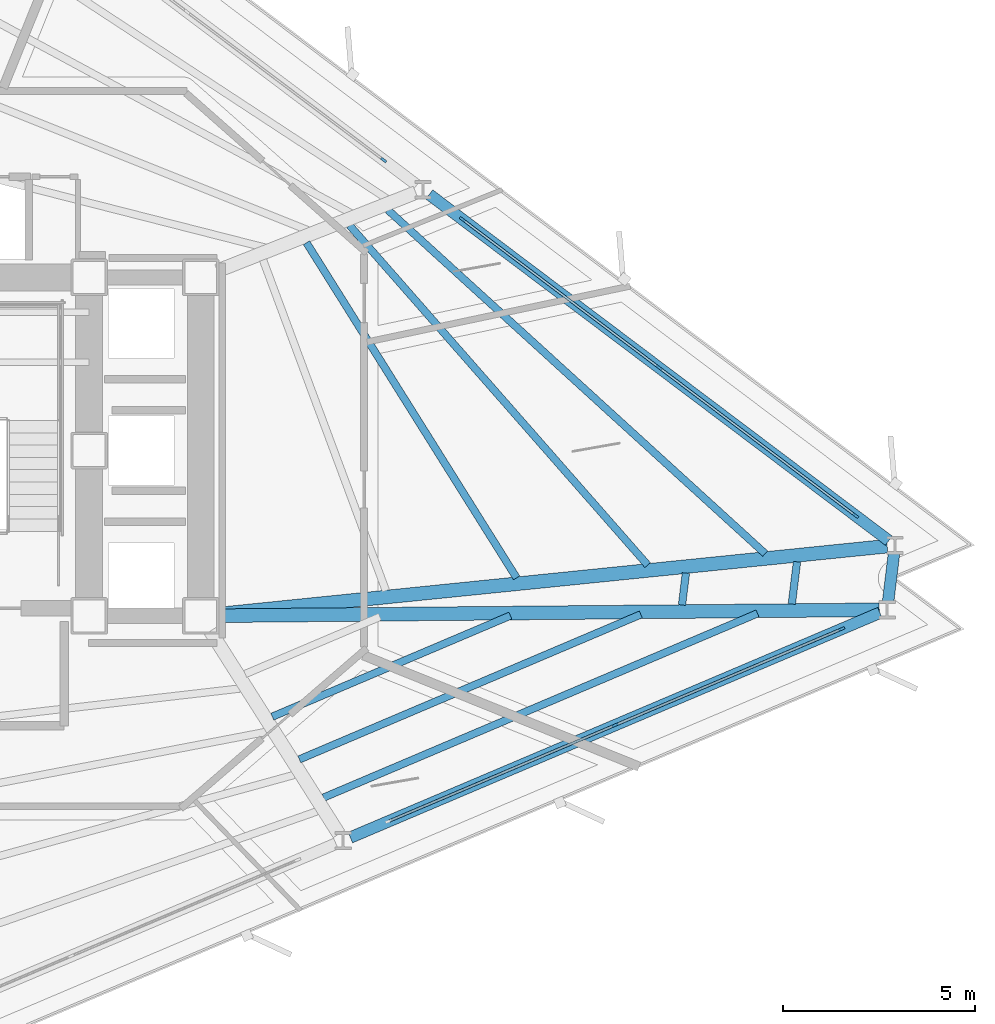
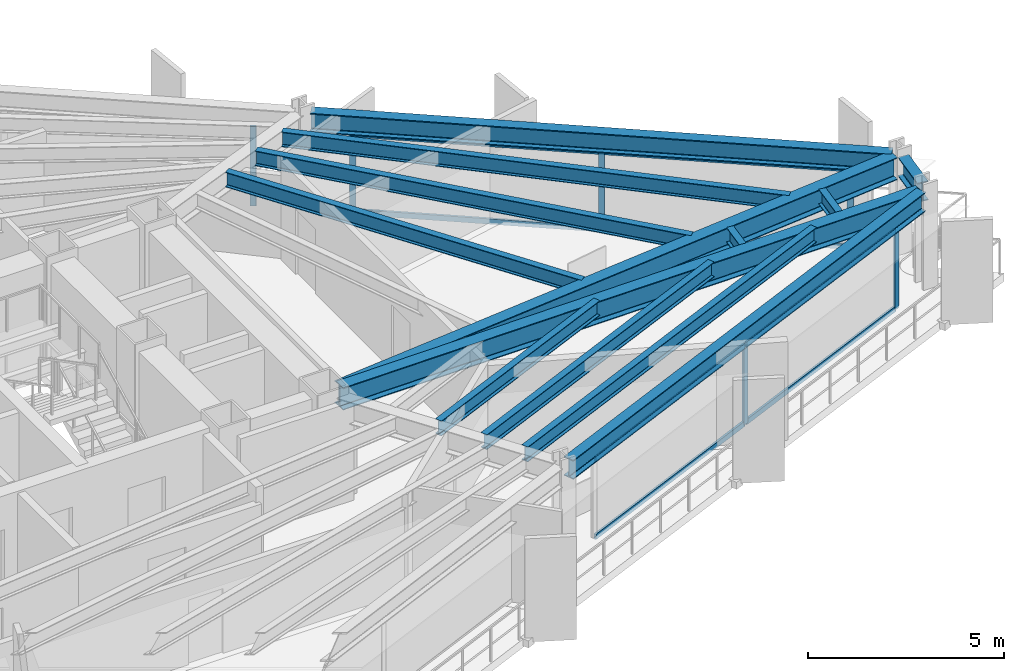
# One storey, part 4 of 13: 14 members, 13 beams, 3 elements without a shape of their own.
"""IFC4 building model written with IfcOpenShell, lengths in metres."""

import ifcopenshell
import ifcopenshell.guid

model = None  # the IFC model being written
_history = None  # IfcOwnerHistory: only IFC2X3 demands one
_inside = {}  # id of a spatial element -> (the spatial element, [elements in it])
_under = {}  # id of a project, library or spatial element -> (it, [spatial elements below it])
_declared = {}  # id of a project -> (the project, [libraries it declares])
_typed = {}  # id of a type object -> (the type object, [elements of that type])
_made_of = {}  # id of a material, layer set ... -> (it, [elements and type objects made of it])


def new_model(schema):
    """Start an empty IFC model of exactly this schema.

    Asked for "IFC4X3", IfcOpenShell would pick the latest addendum, in which some entities
    have other attributes; the version numbers below select the first issue.
    IFC2X3 requires an IfcOwnerHistory on every rooted entity: one is made here for all.
    """
    global model, _history
    if schema == "IFC4X3":
        model = ifcopenshell.file(schema_version=(4, 3, 0, 0))
    else:
        model = ifcopenshell.file(schema=schema)
    _inside.clear()
    _under.clear()
    _declared.clear()
    _typed.clear()
    _made_of.clear()
    _history = None
    if model.schema == "IFC2X3":
        org = make("IfcOrganization", Name="unknown")
        user = make(
            "IfcPersonAndOrganization",
            ThePerson=make("IfcPerson", FamilyName="unknown"),
            TheOrganization=org,
        )
        app = make(
            "IfcApplication",
            ApplicationDeveloper=org,
            Version="unknown",
            ApplicationFullName="unknown",
            ApplicationIdentifier="unknown",
        )
        _history = make(
            "IfcOwnerHistory",
            OwningUser=user,
            OwningApplication=app,
            ChangeAction="ADDED",
            CreationDate=0,
        )
    return model


def make(cls, **values):
    """One entity of the class cls with the attributes given. An attribute that is None is left unset."""
    return model.create_entity(
        cls, **{name: value for name, value in values.items() if value is not None}
    )


def rooted(cls, **values):
    """An entity with a GlobalId (a new one), such as an element, a storey or a relation."""
    return make(cls, GlobalId=ifcopenshell.guid.new(), OwnerHistory=_history, **values)


def si_unit(unit_type, name, prefix=None):
    """IfcSIUnit, for example si_unit("LENGTHUNIT", "METRE", prefix="MILLI")."""
    return make("IfcSIUnit", UnitType=unit_type, Prefix=prefix, Name=name)


def assignment(units):
    """IfcUnitAssignment: the units of a project."""
    return None if units is None else make("IfcUnitAssignment", Units=units)


def point(xyz):
    """IfcCartesianPoint."""
    return None if xyz is None else make("IfcCartesianPoint", Coordinates=xyz)


def direction(xyz):
    """IfcDirection."""
    return None if xyz is None else make("IfcDirection", DirectionRatios=xyz)


def frame(location, z_axis=None, x_axis=None):
    """IfcAxis2Placement3D, a coordinate frame: its origin and axes. An axis left out is left unset."""
    return make(
        "IfcAxis2Placement3D",
        Location=point(location),
        Axis=direction(z_axis),
        RefDirection=direction(x_axis),
    )


def frame_2d(location, x_axis=None):
    """IfcAxis2Placement2D, a coordinate frame in the plane: its origin and x axis."""
    return make(
        "IfcAxis2Placement2D", Location=point(location), RefDirection=direction(x_axis)
    )


def origin():
    """The frame at (0, 0, 0) with its axes left unset."""
    return frame((0.0, 0.0, 0.0))


def origin_2d():
    """The frame at (0, 0) in the plane with its x axis left unset."""
    return frame_2d((0.0, 0.0))


def place(relative_to, where):
    """IfcLocalPlacement: puts the frame where relative to a parent placement (None: the world)."""
    return make(
        "IfcLocalPlacement", PlacementRelTo=relative_to, RelativePlacement=where
    )


def context(
    kind, dimensions, precision=None, world=None, true_north=None, identifier=None
):
    """IfcGeometricRepresentationContext, for example the 3D "Model" context."""
    return make(
        "IfcGeometricRepresentationContext",
        ContextIdentifier=identifier,
        ContextType=kind,
        CoordinateSpaceDimension=dimensions,
        Precision=precision,
        WorldCoordinateSystem=world,
        TrueNorth=true_north,
    )


def subcontext(parent, identifier, kind, view, scale=None):
    """IfcGeometricRepresentationSubContext, for example "Body" below "Model"."""
    return make(
        "IfcGeometricRepresentationSubContext",
        ContextIdentifier=identifier,
        ContextType=kind,
        ParentContext=parent,
        TargetScale=scale,
        TargetView=view,
    )


def project(units=None, contexts=None):
    """IfcProject with its units and contexts."""
    return rooted(
        "IfcProject",
        Name="project",
        RepresentationContexts=contexts,
        UnitsInContext=assignment(units),
    )


def spatial(cls, under=None, at=None, **own):
    """A site, building, storey or space (cls), placed at a placement, below another one or the project."""
    s = rooted(cls, ObjectPlacement=at, **own)
    if under is not None:
        _under.setdefault(under.id(), (under, []))[1].append(s)
    return s


def profile(cls, at=None, kind="AREA", **sizes):
    """A parametric profile (cls). Its sizes go by their IFC names, for example OverallWidth=200.0."""
    return make(cls, ProfileType=kind, Position=at, **sizes)


def rectangle(**sizes):
    """IfcRectangleProfileDef."""
    return profile("IfcRectangleProfileDef", **sizes)


def i_section(**sizes):
    """IfcIShapeProfileDef."""
    return profile("IfcIShapeProfileDef", **sizes)


def extrude(swept, where, along, depth):
    """IfcExtrudedAreaSolid: the profile swept, set in the frame where, extruded along a direction by depth."""
    return make(
        "IfcExtrudedAreaSolid",
        SweptArea=swept,
        Position=where,
        ExtrudedDirection=direction(along),
        Depth=depth,
    )


def shape(context_of_items, identifier, shape_type, items):
    """IfcShapeRepresentation: the items that make up one representation, for example the "Body"."""
    return make(
        "IfcShapeRepresentation",
        ContextOfItems=context_of_items,
        RepresentationIdentifier=identifier,
        RepresentationType=shape_type,
        Items=items,
    )


def material(Name=None, Category=None):
    """IfcMaterial."""
    return make("IfcMaterial", Name=Name, Category=Category)


def layer(
    of_material, thickness, ventilated=None, Name=None, Category=None, Priority=None
):
    """IfcMaterialLayer: one layer of a wall or slab, of a material (None: an air gap)."""
    return make(
        "IfcMaterialLayer",
        Material=of_material,
        LayerThickness=thickness,
        IsVentilated=ventilated,
        Name=Name,
        Category=Category,
        Priority=Priority,
    )


def layer_set(layers, Name=None):
    """IfcMaterialLayerSet."""
    return make("IfcMaterialLayerSet", MaterialLayers=layers, LayerSetName=Name)


def material_profile(
    of_material, cross_section, Name=None, Category=None, Priority=None
):
    """IfcMaterialProfile: a cross section and its material."""
    return make(
        "IfcMaterialProfile",
        Name=Name,
        Material=of_material,
        Profile=cross_section,
        Priority=Priority,
        Category=Category,
    )


def profile_set(profiles, Name=None, composite=None):
    """IfcMaterialProfileSet."""
    return make(
        "IfcMaterialProfileSet",
        Name=Name,
        MaterialProfiles=profiles,
        CompositeProfile=composite,
    )


def made_of(thing, what):
    """Note that an element or type object is made of a material, layer set ...; save() writes the relation."""
    if what is not None:
        _made_of.setdefault(what.id(), (what, []))[1].append(thing)
    return thing


def type_object(cls, material=None, **own):
    """A type object (cls), such as IfcWallType, which elements share."""
    return made_of(rooted(cls, **own), material)


def element(
    cls,
    number,
    at=None,
    inside=None,
    cuts=None,
    type_object=None,
    material=None,
    context=None,
    identifier="Body",
    shape_type=None,
    held_by="IfcProductDefinitionShape",
    body=None,
    shapes=None,
    **own,
):
    """One element of the class cls, such as IfcWall. Its Tag is "e" and its number.

    at: its placement. inside: the storey or other place that contains it. cuts: it is an
    opening in that element (IfcRelVoidsElement). A single representation is given by context,
    identifier, shape_type and body (its items); several are given by shapes. held_by: the class
    of the entity that holds the representations. save() writes the other relations.
    """
    e = rooted(cls, Tag="e%d" % number, ObjectPlacement=at, **own)
    if body is not None:
        shapes = [shape(context, identifier, shape_type, body)]
    if shapes is not None:
        e.Representation = make(held_by, Representations=shapes)
    if inside is not None:
        _inside.setdefault(inside.id(), (inside, []))[1].append(e)
    if cuts is not None:
        rooted(
            "IfcRelVoidsElement", RelatingBuildingElement=cuts, RelatedOpeningElement=e
        )
    if type_object is not None:
        _typed.setdefault(type_object.id(), (type_object, []))[1].append(e)
    return made_of(e, material)


def aggregate(whole, parts):
    """IfcRelAggregates: a whole, such as a stair, and the parts it consists of."""
    return rooted("IfcRelAggregates", RelatingObject=whole, RelatedObjects=parts)


def save(model, path):
    """Write the relations noted so far, then the file.

    IfcRelAggregates (storeys below a building ...), IfcRelContainedInSpatialStructure (elements
    in a storey), IfcRelDefinesByType, IfcRelAssociatesMaterial and IfcRelDeclares: one each for
    every whole, place, type object, material and project.
    """
    for whole, parts in _under.values():
        aggregate(whole, parts)
    for where, things in _inside.values():
        rooted(
            "IfcRelContainedInSpatialStructure",
            RelatedElements=things,
            RelatingStructure=where,
        )
    for kind, things in _typed.values():
        rooted("IfcRelDefinesByType", RelatedObjects=things, RelatingType=kind)
    for what, things in _made_of.values():
        rooted("IfcRelAssociatesMaterial", RelatedObjects=things, RelatingMaterial=what)
    for by, libraries in _declared.values():
        rooted("IfcRelDeclares", RelatingContext=by, RelatedDefinitions=libraries)
    model.write(path)


model = new_model("IFC4")

# Units and contexts
model_context = context("Model", 3, precision=1e-05, world=origin(), true_north=direction((0.0, 1.0)))
body_context = subcontext(model_context, "Body", "Model", "MODEL_VIEW")
ifc_project = project(units=[si_unit("LENGTHUNIT", "METRE"), si_unit("AREAUNIT", "SQUARE_METRE"), si_unit("VOLUMEUNIT", "CUBIC_METRE"), si_unit("PLANEANGLEUNIT", "RADIAN"), si_unit("MASSUNIT", "GRAM", prefix="KILO")], contexts=[model_context])

# Site, building, storey
site_placement = place(None, origin())
site = spatial("IfcSite", under=ifc_project, at=site_placement, CompositionType="ELEMENT")
building_placement = place(site_placement, origin())
building = spatial("IfcBuilding", under=site, at=building_placement, Name="Rocaltana Carrier Exchange", CompositionType="ELEMENT")
storey_placement = place(building_placement, frame((0.0, 0.0, 52.9599609375)))
storey = spatial("IfcBuildingStorey", under=building, at=storey_placement, Name="L16", CompositionType="ELEMENT", Elevation=52.9599609375)

# Curtain wall, members
ifc_material_1 = material(Name="Aluminium 6063-T6", Category="aluminium")
ifc_layer = layer(ifc_material_1, 0.1650390625)
ifc_layer_set = layer_set([ifc_layer], Name="Aluminium 6063-T6")
curtain_wall_type = type_object("IfcCurtainWallType", Name="Lower-Mid Stepped Curtain Wall CW-02", PredefinedType="NOTDEFINED", material=ifc_layer_set)
curtain_wall_1_placement = place(storey_placement, origin())
curtain_wall_1 = element("IfcCurtainWall", 1, at=curtain_wall_1_placement, inside=storey, type_object=curtain_wall_type, Name="L16 CW-02 Run CW-L16-F1S1", PredefinedType="NOTDEFINED")
ifc_material_2 = material(Name="Aluminium 6063-T6", Category="aluminium")
ifc_material_profile_1 = material_profile(ifc_material_2, rectangle(XDim=0.06494140625, YDim=0.1650390625, at=origin_2d()), Name="AL-65X165")
ifc_profile_set_1 = profile_set([ifc_material_profile_1], Name="Aluminium 6063-T6")
member_type_1 = type_object("IfcMemberType", Name="CW-02 Mullion AL-65X165", PredefinedType="MULLION", material=ifc_profile_set_1)
member_1_placement = place(storey_placement, frame((25.978759765625, -1.69482421875, 0.0), z_axis=(0.0, 0.0, 1.0), x_axis=(-0.601806560833, -0.798641886792, 0.0)))
member_1 = element("IfcMember", 2, at=member_1_placement, type_object=member_type_1, Name="CW-02 mullion 1", PredefinedType="MULLION", context=body_context, shape_type="SweptSolid", body=[
    extrude(rectangle(XDim=0.06494140625, YDim=0.1650390625, at=origin_2d()), origin(), (0.0, 0.0, 1.0), 2.47802734375),
])
member_2_placement = place(storey_placement, frame((20.86669921875, 2.1572265625, 0.0), z_axis=(0.0, 0.0, 1.0), x_axis=(-0.601806560833, -0.798641886792, 0.0)))
member_2 = element("IfcMember", 3, at=member_2_placement, type_object=member_type_1, Name="CW-02 mullion 2", PredefinedType="MULLION", context=body_context, shape_type="SweptSolid", body=[
    extrude(rectangle(XDim=0.06494140625, YDim=0.1650390625, at=origin_2d()), origin(), (0.0, 0.0, 1.0), 2.47802734375),
])
member_3_placement = place(storey_placement, frame((15.754638671875, 6.00927734375, 0.0), z_axis=(0.0, 0.0, 1.0), x_axis=(-0.601806560833, -0.798641886792, 0.0)))
member_3 = element("IfcMember", 4, at=member_3_placement, type_object=member_type_1, Name="CW-02 mullion 3", PredefinedType="MULLION", context=body_context, shape_type="SweptSolid", body=[
    extrude(rectangle(XDim=0.06494140625, YDim=0.1650390625, at=origin_2d()), origin(), (0.0, 0.0, 1.0), 2.47802734375),
])

# Curtain wall, member
curtain_wall_2_placement = place(storey_placement, origin())
curtain_wall_2 = element("IfcCurtainWall", 5, at=curtain_wall_2_placement, inside=storey, type_object=curtain_wall_type, Name="L16 CW-02 Run CW-L16-F1S2", PredefinedType="NOTDEFINED")
member_4_placement = place(storey_placement, frame((13.706298828125, 7.552978515625, 0.0), z_axis=(0.0, 0.0, 1.0), x_axis=(-0.601815253533, -0.798635336443, 0.0)))
member_4 = element("IfcMember", 6, at=member_4_placement, type_object=member_type_1, Name="CW-02 mullion 1", PredefinedType="MULLION", context=body_context, shape_type="SweptSolid", body=[
    extrude(rectangle(XDim=0.06494140625, YDim=0.1650390625, at=origin_2d()), origin(), (0.0, 0.0, 1.0), 2.47802734375),
])
aggregate(curtain_wall_2, [member_4])

# Curtain wall, members
curtain_wall_3_placement = place(storey_placement, origin())
curtain_wall_3 = element("IfcCurtainWall", 7, at=curtain_wall_3_placement, inside=storey, type_object=curtain_wall_type, Name="L16 CW-02 Run CW-L16-F3S3", PredefinedType="NOTDEFINED")
member_5_placement = place(storey_placement, frame((19.72509765625, -7.141357421875, 0.0), z_axis=(0.0, 0.0, 1.0), x_axis=(-0.390735259141, 0.920503100084, 0.0)))
member_5 = element("IfcMember", 8, at=member_5_placement, type_object=member_type_1, Name="CW-02 mullion 2", PredefinedType="MULLION", context=body_context, shape_type="SweptSolid", body=[
    extrude(rectangle(XDim=0.06494140625, YDim=0.1650390625, at=origin_2d()), origin(), (0.0, 0.0, 1.0), 2.47802734375),
])
member_6_placement = place(storey_placement, frame((25.6171875, -4.64013671875, 0.0), z_axis=(0.0, 0.0, 1.0), x_axis=(-0.390735259141, 0.920503100084, 0.0)))
member_6 = element("IfcMember", 9, at=member_6_placement, type_object=member_type_1, Name="CW-02 mullion 3", PredefinedType="MULLION", context=body_context, shape_type="SweptSolid", body=[
    extrude(rectangle(XDim=0.06494140625, YDim=0.1650390625, at=origin_2d()), origin(), (0.0, 0.0, 1.0), 2.47802734375),
])

# Member
ifc_material_3 = material(Name="Aluminium 6063-T6", Category="aluminium")
ifc_material_profile_2 = material_profile(ifc_material_3, rectangle(XDim=0.06494140625, YDim=0.1650390625, at=origin_2d()), Name="AL-65X165")
ifc_profile_set_2 = profile_set([ifc_material_profile_2], Name="Aluminium 6063-T6")
member_type_2 = type_object("IfcMemberType", Name="CW-02 Transom AL-65X165", PredefinedType="USERDEFINED", material=ifc_profile_set_2)
member_7_placement = place(storey_placement, frame((25.95263671875, -1.67529296875, 0.032470703125), z_axis=(-0.798638496284, 0.601811060261, 0.0), x_axis=(-0.601811060261, -0.798638496284, 0.0)))
member_7 = element("IfcMember", 10, at=member_7_placement, type_object=member_type_2, Name="CW-02 transom 1.1", ObjectType="TRANSOM", PredefinedType="USERDEFINED", context=body_context, shape_type="SweptSolid", body=[
    extrude(rectangle(XDim=0.06494140625, YDim=0.1650390625, at=origin_2d()), origin(), (0.0, 0.0, 1.0), 6.3359375),
])

member_8_placement = place(storey_placement, frame((25.95263671875, -1.67529296875, 2.445556640625), z_axis=(-0.798638496284, 0.601811060261, 0.0), x_axis=(-0.601811060261, -0.798638496284, 0.0)))
member_8 = element("IfcMember", 11, at=member_8_placement, type_object=member_type_2, Name="CW-02 transom 1.2", ObjectType="TRANSOM", PredefinedType="USERDEFINED", context=body_context, shape_type="SweptSolid", body=[
    extrude(rectangle(XDim=0.06494140625, YDim=0.1650390625, at=origin_2d()), origin(), (0.0, 0.0, 1.0), 6.3359375),
])

member_9_placement = place(storey_placement, frame((20.8408203125, 2.1767578125, 0.032470703125), z_axis=(-0.798638496284, 0.601811060261, 0.0), x_axis=(-0.601811060261, -0.798638496284, 0.0)))
member_9 = element("IfcMember", 12, at=member_9_placement, type_object=member_type_2, Name="CW-02 transom 2.1", ObjectType="TRANSOM", PredefinedType="USERDEFINED", context=body_context, shape_type="SweptSolid", body=[
    extrude(rectangle(XDim=0.06494140625, YDim=0.1650390625, at=origin_2d()), origin(), (0.0, 0.0, 1.0), 6.3359375),
])

member_10_placement = place(storey_placement, frame((20.8408203125, 2.1767578125, 2.445556640625), z_axis=(-0.798638496284, 0.601811060261, 0.0), x_axis=(-0.601811060261, -0.798638496284, 0.0)))
member_10 = element("IfcMember", 13, at=member_10_placement, type_object=member_type_2, Name="CW-02 transom 2.2", ObjectType="TRANSOM", PredefinedType="USERDEFINED", context=body_context, shape_type="SweptSolid", body=[
    extrude(rectangle(XDim=0.06494140625, YDim=0.1650390625, at=origin_2d()), origin(), (0.0, 0.0, 1.0), 6.3359375),
])

aggregate(curtain_wall_1, [member_1, member_2, member_3, member_7, member_8, member_9, member_10])

member_11_placement = place(storey_placement, frame((13.863037109375, -9.629638671875, 0.032470703125), z_axis=(0.920502835622, 0.390735882167, 0.0), x_axis=(-0.390735882167, 0.920502835622, 0.0)))
member_11 = element("IfcMember", 14, at=member_11_placement, type_object=member_type_2, Name="CW-02 transom 1.1", ObjectType="TRANSOM", PredefinedType="USERDEFINED", context=body_context, shape_type="SweptSolid", body=[
    extrude(rectangle(XDim=0.06494140625, YDim=0.1650390625, at=origin_2d()), origin(), (0.0, 0.0, 1.0), 6.335693359375),
])

member_12_placement = place(storey_placement, frame((13.863037109375, -9.629638671875, 2.445556640625), z_axis=(0.920502835622, 0.390735882167, 0.0), x_axis=(-0.390735882167, 0.920502835622, 0.0)))
member_12 = element("IfcMember", 15, at=member_12_placement, type_object=member_type_2, Name="CW-02 transom 1.2", ObjectType="TRANSOM", PredefinedType="USERDEFINED", context=body_context, shape_type="SweptSolid", body=[
    extrude(rectangle(XDim=0.06494140625, YDim=0.1650390625, at=origin_2d()), origin(), (0.0, 0.0, 1.0), 6.335693359375),
])

member_13_placement = place(storey_placement, frame((19.7548828125, -7.128662109375, 0.032470703125), z_axis=(0.920494859312, 0.390754672372, 0.0), x_axis=(-0.390754672372, 0.920494859312, 0.0)))
member_13 = element("IfcMember", 16, at=member_13_placement, type_object=member_type_2, Name="CW-02 transom 2.1", ObjectType="TRANSOM", PredefinedType="USERDEFINED", context=body_context, shape_type="SweptSolid", body=[
    extrude(rectangle(XDim=0.06494140625, YDim=0.1650390625, at=origin_2d()), origin(), (0.0, 0.0, 1.0), 6.3359375),
])

member_14_placement = place(storey_placement, frame((19.7548828125, -7.128662109375, 2.445556640625), z_axis=(0.920494859312, 0.390754672372, 0.0), x_axis=(-0.390754672372, 0.920494859312, 0.0)))
member_14 = element("IfcMember", 17, at=member_14_placement, type_object=member_type_2, Name="CW-02 transom 2.2", ObjectType="TRANSOM", PredefinedType="USERDEFINED", context=body_context, shape_type="SweptSolid", body=[
    extrude(rectangle(XDim=0.06494140625, YDim=0.1650390625, at=origin_2d()), origin(), (0.0, 0.0, 1.0), 6.3359375),
])

aggregate(curtain_wall_3, [member_5, member_6, member_11, member_12, member_13, member_14])

# Beams
ifc_material_4 = material(Name="Steel S355", Category="steel")
ifc_material_profile_3 = material_profile(ifc_material_4, i_section(OverallWidth=0.193115234375, OverallDepth=0.466064453125, WebThickness=0.011474609375, FlangeThickness=0.01904296875, FilletRadius=0.013916015625, at=origin_2d()), Name="W18X65")
ifc_profile_set_3 = profile_set([ifc_material_profile_3], Name="Steel S355")
beam_type_1 = type_object("IfcBeamType", Name="Floor Joist W18X65", PredefinedType="JOIST", material=ifc_profile_set_3)
beam_1_placement = place(storey_placement, frame((17.1630859375, -3.311279296875, 2.864990234375), z_axis=(-0.531103653512, 0.847306856591, 0.0), x_axis=(-0.847306856591, -0.531103653512, 0.0)))
element("IfcBeam", 18, at=beam_1_placement, inside=storey, type_object=beam_type_1, Name="FJ-L16-01-2", PredefinedType="JOIST", context=body_context, shape_type="SweptSolid", body=[
    extrude(i_section(OverallWidth=0.193115234375, OverallDepth=0.466064453125, WebThickness=0.011474609375, FlangeThickness=0.01904296875, FilletRadius=0.013916015625, at=origin_2d()), origin(), (0.0, 0.0, 1.0), 10.285888671875),
])
beam_2_placement = place(storey_placement, frame((20.5712890625, -2.9794921875, 2.864990234375), z_axis=(-0.659558512546, 0.751653223587, 0.0), x_axis=(-0.751653223587, -0.659558512546, 0.0)))
element("IfcBeam", 19, at=beam_2_placement, inside=storey, type_object=beam_type_1, Name="FJ-L16-01-3", PredefinedType="JOIST", context=body_context, shape_type="SweptSolid", body=[
    extrude(i_section(OverallWidth=0.193115234375, OverallDepth=0.466064453125, WebThickness=0.011474609375, FlangeThickness=0.01904296875, FilletRadius=0.013916015625, at=origin_2d()), origin(), (0.0, 0.0, 1.0), 11.751708984375),
])
beam_3_placement = place(storey_placement, frame((23.626708984375, -2.68115234375, 2.864990234375), z_axis=(-0.739263706451, 0.673416046976, 0.0), x_axis=(-0.673416046976, -0.739263706451, 0.0)))
element("IfcBeam", 20, at=beam_3_placement, inside=storey, type_object=beam_type_1, Name="FJ-L16-01-4", PredefinedType="JOIST", context=body_context, shape_type="SweptSolid", body=[
    extrude(i_section(OverallWidth=0.193115234375, OverallDepth=0.466064453125, WebThickness=0.011474609375, FlangeThickness=0.01904296875, FilletRadius=0.013916015625, at=origin_2d()), origin(), (0.0, 0.0, 1.0), 13.269775390625),
])
beam_4_placement = place(storey_placement, frame((10.81103515625, -6.9208984375, 2.864990234375), z_axis=(0.920502665094, 0.390736283898, 0.0), x_axis=(-0.390736283898, 0.920502665094, 0.0)))
element("IfcBeam", 21, at=beam_4_placement, inside=storey, type_object=beam_type_1, Name="FJ-L16-11-2", PredefinedType="JOIST", context=body_context, shape_type="SweptSolid", body=[
    extrude(i_section(OverallWidth=0.193115234375, OverallDepth=0.466064453125, WebThickness=0.011474609375, FlangeThickness=0.01904296875, FilletRadius=0.013916015625, at=origin_2d()), origin(), (0.0, 0.0, 1.0), 6.7255859375),
])
beam_5_placement = place(storey_placement, frame((11.514404296875, -8.03125, 2.864990234375), z_axis=(0.920503721311, 0.390733795636, 0.0), x_axis=(-0.390733795636, 0.920503721311, 0.0)))
element("IfcBeam", 22, at=beam_5_placement, inside=storey, type_object=beam_type_1, Name="FJ-L16-11-3", PredefinedType="JOIST", context=body_context, shape_type="SweptSolid", body=[
    extrude(i_section(OverallWidth=0.193115234375, OverallDepth=0.466064453125, WebThickness=0.011474609375, FlangeThickness=0.01904296875, FilletRadius=0.013916015625, at=origin_2d()), origin(), (0.0, 0.0, 1.0), 9.6455078125),
])
beam_6_placement = place(storey_placement, frame((12.143798828125, -9.024658203125, 2.864990234375), z_axis=(0.920504513762, 0.390731928749, 0.0), x_axis=(-0.390731928749, 0.920504513762, 0.0)))
element("IfcBeam", 23, at=beam_6_placement, inside=storey, type_object=beam_type_1, Name="FJ-L16-11-4", PredefinedType="JOIST", context=body_context, shape_type="SweptSolid", body=[
    extrude(i_section(OverallWidth=0.193115234375, OverallDepth=0.466064453125, WebThickness=0.011474609375, FlangeThickness=0.01904296875, FilletRadius=0.013916015625, at=origin_2d()), origin(), (0.0, 0.0, 1.0), 12.2578125),
])
beam_7_placement = place(storey_placement, frame((21.464111328125, -4.01708984375, 2.864990234375), z_axis=(0.122022478493, 0.992527337025, 0.0), x_axis=(-0.992527337025, 0.122022478493, 0.0)))
element("IfcBeam", 24, at=beam_7_placement, inside=storey, type_object=beam_type_1, Name="FJ-L16-12-3", PredefinedType="JOIST", context=body_context, shape_type="SweptSolid", body=[
    extrude(i_section(OverallWidth=0.193115234375, OverallDepth=0.466064453125, WebThickness=0.011474609375, FlangeThickness=0.01904296875, FilletRadius=0.013916015625, at=origin_2d()), origin(), (0.0, 0.0, 1.0), 0.83642578125),
])
beam_8_placement = place(storey_placement, frame((24.31982421875, -3.991455078125, 2.864990234375), z_axis=(0.121834081675, 0.992550480602, 0.0), x_axis=(-0.992550480602, 0.121834081675, 0.0)))
element("IfcBeam", 25, at=beam_8_placement, inside=storey, type_object=beam_type_1, Name="FJ-L16-12-4", PredefinedType="JOIST", context=body_context, shape_type="SweptSolid", body=[
    extrude(i_section(OverallWidth=0.193115234375, OverallDepth=0.466064453125, WebThickness=0.011474609375, FlangeThickness=0.01904296875, FilletRadius=0.013916015625, at=origin_2d()), origin(), (0.0, 0.0, 1.0), 1.106201171875),
])
ifc_material_5 = material(Name="Steel S355", Category="steel")
ifc_material_profile_4 = material_profile(ifc_material_5, i_section(OverallWidth=0.35498046875, OverallDepth=0.695068359375, WebThickness=0.015380859375, FlangeThickness=0.02490234375, FilletRadius=0.01806640625, at=origin_2d()), Name="W27X146")
ifc_profile_set_4 = profile_set([ifc_material_profile_4], Name="Steel S355")
beam_type_2 = type_object("IfcBeamType", Name="Radial Girder W27X146", PredefinedType="BEAM", material=ifc_profile_set_4)
beam_9_placement = place(storey_placement, frame((9.41455078125, -4.252685546875, 2.75048828125), z_axis=(0.994883866015, 0.101025210436, 0.0), x_axis=(-0.101025210436, 0.994883866015, 0.0)))
element("IfcBeam", 26, at=beam_9_placement, inside=storey, type_object=beam_type_2, Name="RG-L16-01", PredefinedType="BEAM", context=body_context, shape_type="SweptSolid", body=[
    extrude(i_section(OverallWidth=0.35498046875, OverallDepth=0.695068359375, WebThickness=0.015380859375, FlangeThickness=0.02490234375, FilletRadius=0.01806640625, at=origin_2d()), origin(), (0.0, 0.0, 1.0), 17.474609375),
])
beam_10_placement = place(storey_placement, frame((9.4169921875, -4.2958984375, 2.75048828125), z_axis=(0.999959271259, 0.009025288, 0.0), x_axis=(-0.009025288, 0.999959271259, 0.0)))
element("IfcBeam", 27, at=beam_10_placement, inside=storey, type_object=beam_type_2, Name="RG-L16-12", PredefinedType="BEAM", context=body_context, shape_type="SweptSolid", body=[
    extrude(i_section(OverallWidth=0.35498046875, OverallDepth=0.695068359375, WebThickness=0.015380859375, FlangeThickness=0.02490234375, FilletRadius=0.01806640625, at=origin_2d()), origin(), (0.0, 0.0, 1.0), 17.17724609375),
])
ifc_material_6 = material(Name="Steel S355", Category="steel")
ifc_material_profile_5 = material_profile(ifc_material_6, i_section(OverallWidth=0.300048828125, OverallDepth=0.60009765625, WebThickness=0.015380859375, FlangeThickness=0.030029296875, FilletRadius=0.027099609375, at=origin_2d()), Name="HEB600")
ifc_profile_set_5 = profile_set([ifc_material_profile_5], Name="Steel S355")
beam_type_3 = type_object("IfcBeamType", Name="Spandrel Edge Beam HEB600", PredefinedType="SPANDREL", material=ifc_profile_set_5)
for number, where, z_axis, x_axis, name in (
    (28, (26.840087890625, -2.343994140625, 2.798095703125), (-0.798646600906, 0.601800304803, 0.0), (-0.601800304803, -0.798646600906, 0.0), "SP-L16-01"),
    (29, (12.84033203125, -10.063720703125, 2.798095703125), (0.920501211771, 0.390739707642, 0.0), (-0.390739707642, 0.920501211771, 0.0), "SP-L16-11"),
):
    element("IfcBeam", number, at=place(storey_placement, frame(where, z_axis=z_axis, x_axis=x_axis)), inside=storey, type_object=beam_type_3, Name=name, PredefinedType="SPANDREL", context=body_context, shape_type="SweptSolid", body=[
        extrude(i_section(OverallWidth=0.300048828125, OverallDepth=0.60009765625, WebThickness=0.015380859375, FlangeThickness=0.030029296875, FilletRadius=0.027099609375, at=origin_2d()), origin(), (0.0, 0.0, 1.0), 14.958740234375),
    ])
beam_11_placement = place(storey_placement, frame((26.822509765625, -3.9365234375, 2.798095703125), z_axis=(0.121798770325, 0.992554814379, 0.0), x_axis=(-0.992554814379, 0.121798770325, 0.0)))
element("IfcBeam", 30, at=beam_11_placement, inside=storey, type_object=beam_type_3, Name="SP-L16-12", PredefinedType="SPANDREL", context=body_context, shape_type="SweptSolid", body=[
    extrude(i_section(OverallWidth=0.300048828125, OverallDepth=0.60009765625, WebThickness=0.015380859375, FlangeThickness=0.030029296875, FilletRadius=0.027099609375, at=origin_2d()), origin(), (0.0, 0.0, 1.0), 1.27685546875),
])

save(model, "model.ifc")
